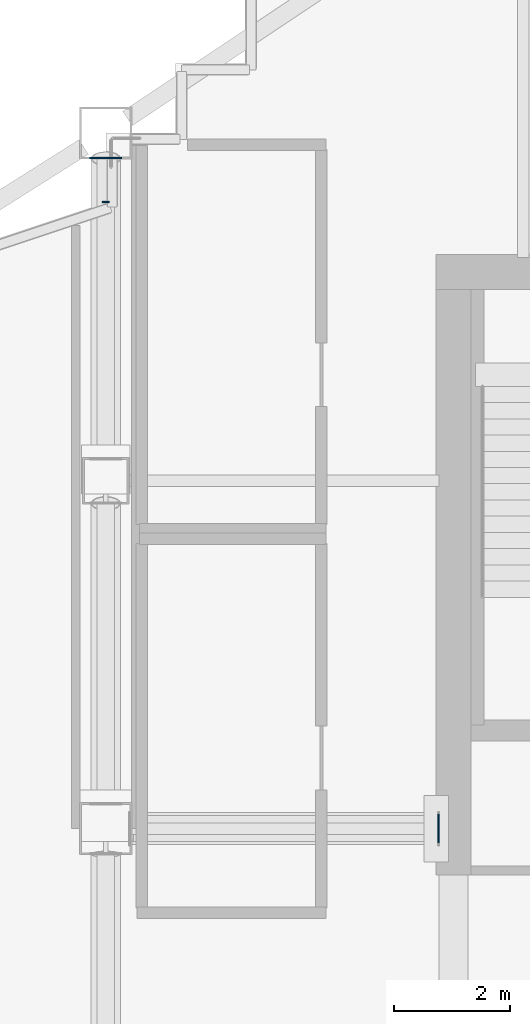
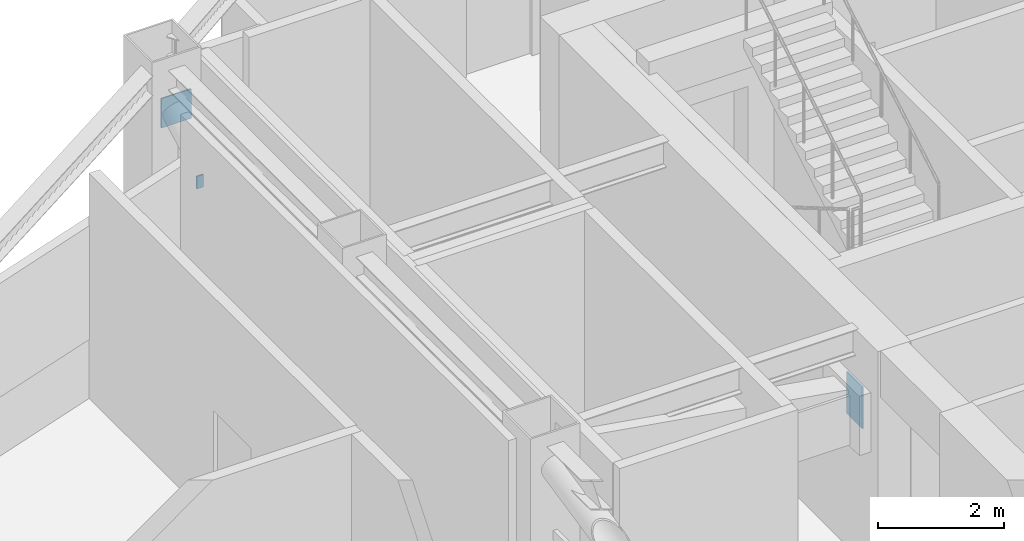
# One storey, part 8 of 19: 3 plates.
"""IFC4 building model written with IfcOpenShell, lengths in metres."""

from ifc_helpers import new_model, si_unit, direction, frame, origin, origin_2d, place, context, subcontext, project, spatial, rectangle, extrude, material, layer, layer_set, type_object, element, save


model = new_model("IFC4")

# Units and contexts
model_context = context("Model", 3, precision=1e-05, world=origin(), true_north=direction((0.0, 1.0)))
body_context = subcontext(model_context, "Body", "Model", "MODEL_VIEW")
ifc_project = project(units=[si_unit("LENGTHUNIT", "METRE"), si_unit("AREAUNIT", "SQUARE_METRE"), si_unit("VOLUMEUNIT", "CUBIC_METRE"), si_unit("PLANEANGLEUNIT", "RADIAN"), si_unit("MASSUNIT", "GRAM", prefix="KILO")], contexts=[model_context])

# Site, building, storey
site_placement = place(None, origin())
site = spatial("IfcSite", under=ifc_project, at=site_placement, CompositionType="ELEMENT")
building_placement = place(site_placement, origin())
building = spatial("IfcBuilding", under=site, at=building_placement, Name="Haolan Belvedere Tower", CompositionType="ELEMENT")
storey_placement = place(building_placement, frame((0.0, 0.0, 230.60009765625)))
storey = spatial("IfcBuildingStorey", under=building, at=storey_placement, Name="L58", CompositionType="ELEMENT", Elevation=230.60009765625)

# Plates
ifc_material = material(Name="Steel Q355B", Category="steel")
ifc_layer = layer(ifc_material, 0.02490234375, Name="Steel Q355B")
ifc_layer_set = layer_set([ifc_layer], Name="Steel Q355B")
plate_type = type_object("IfcPlateType", Name="PL-CAP-25", PredefinedType="SHEET", material=ifc_layer_set)
plate_1_placement = place(storey_placement, frame((29.742431640625, 33.60009765625, 2.512939453125), z_axis=(0.0, 0.0, 1.0), x_axis=(0.0, 1.0, 0.0)))
element("IfcPlate", 1, at=plate_1_placement, inside=storey, type_object=plate_type, Name="Hollow steel end-cap plate OR-W1-L58-DG-CAP0", PredefinedType="SHEET", context=body_context, shape_type="SweptSolid", body=[
    extrude(rectangle(XDim=0.489990234375, YDim=0.02490234375, at=origin_2d()), origin(), (0.0, 0.0, 1.0), 0.81005859375),
])
plate_2_placement = place(storey_placement, frame((24.0, 45.171142578125, 3.271484375), z_axis=(0.0, 0.0, 1.0), x_axis=(-1.0, 0.0, 0.0)))
element("IfcPlate", 2, at=plate_2_placement, inside=storey, type_object=plate_type, Name="Hollow steel end-cap plate BT-W4-L58-CAP1", PredefinedType="SHEET", context=body_context, shape_type="SweptSolid", body=[
    extrude(rectangle(XDim=0.548095703125, YDim=0.02490234375, at=origin_2d()), origin(), (0.0, 0.0, 1.0), 0.568115234375),
])
plate_3_placement = place(storey_placement, frame((24.0, 44.41259765625, 2.47998046875), z_axis=(0.0, 0.0, 1.0), x_axis=(-1.0, 0.0, 0.0)))
element("IfcPlate", 3, at=plate_3_placement, inside=storey, type_object=plate_type, Name="Hollow steel end-cap plate GIRT-L58-GW-CAP1", PredefinedType="SHEET", context=body_context, shape_type="SweptSolid", body=[
    extrude(rectangle(XDim=0.1201171875, YDim=0.02490234375, at=origin_2d()), origin(), (0.0, 0.0, 1.0), 0.239990234375),
])

save(model, "model.ifc")
